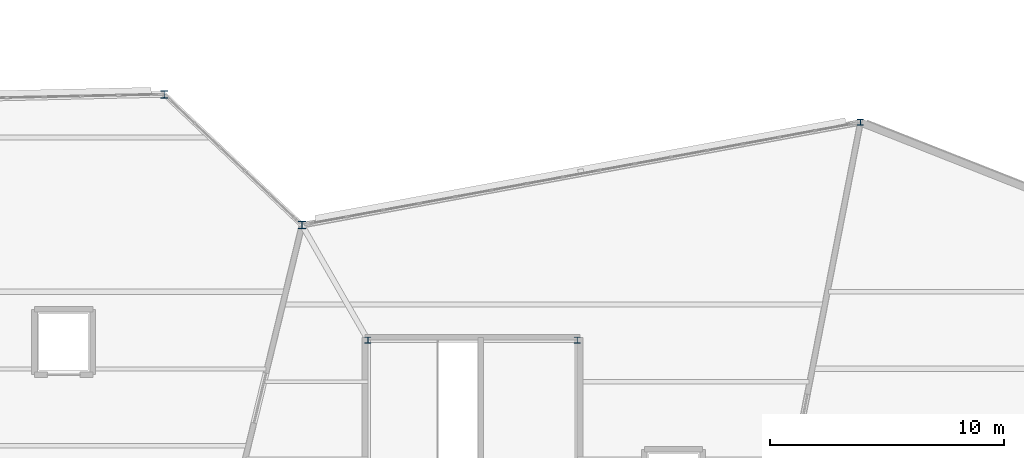
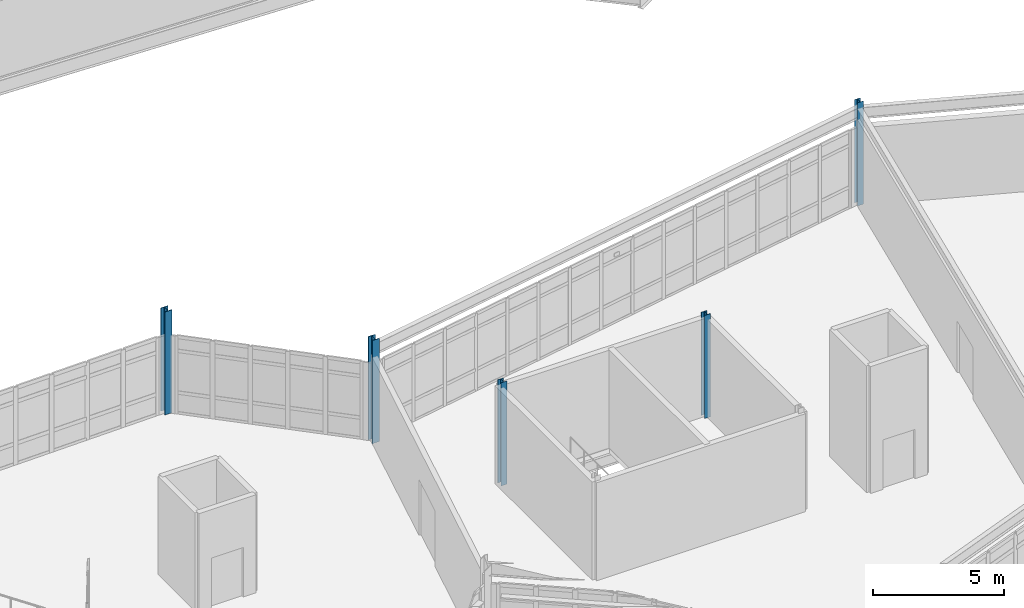
# One storey, part 5 of 76: 5 columns.
"""IFC4 building model written with IfcOpenShell, lengths in metres."""

from ifc_helpers import new_model, si_unit, direction, frame, origin, origin_2d, place, context, subcontext, project, spatial, i_section, extrude, material, material_profile, profile_set, type_object, element, save


model = new_model("IFC4")

# Units and contexts
model_context = context("Model", 3, precision=1e-05, world=origin(), true_north=direction((0.0, 1.0)))
body_context = subcontext(model_context, "Body", "Model", "MODEL_VIEW")
ifc_project = project(units=[si_unit("LENGTHUNIT", "METRE"), si_unit("AREAUNIT", "SQUARE_METRE"), si_unit("VOLUMEUNIT", "CUBIC_METRE"), si_unit("PLANEANGLEUNIT", "RADIAN"), si_unit("MASSUNIT", "GRAM", prefix="KILO")], contexts=[model_context])

# Site, building, storey
site_placement = place(None, origin())
site = spatial("IfcSite", under=ifc_project, at=site_placement, CompositionType="ELEMENT")
building_placement = place(site_placement, origin())
building = spatial("IfcBuilding", under=site, at=building_placement, Name="Tameran Prism Museum", CompositionType="ELEMENT")
storey_placement = place(building_placement, frame((0.0, 0.0, 15.0)))
storey = spatial("IfcBuildingStorey", under=building, at=storey_placement, Name="L03", CompositionType="ELEMENT", Elevation=15.0)

# Columns
ifc_material_1 = material(Name="Steel Grade 300PLUS (300 MPa)", Category="steel")
ifc_material_profile_1 = material_profile(ifc_material_1, i_section(OverallWidth=0.25390625, OverallDepth=0.25390625, WebThickness=0.008544921875, FlangeThickness=0.01416015625, FilletRadius=0.0126953125, at=origin_2d()))
ifc_profile_set_1 = profile_set([ifc_material_profile_1])
column_type_1 = type_object("IfcColumnType", Name="COL-UC250B", PredefinedType="COLUMN", material=ifc_profile_set_1)
for number, where, z_axis, x_axis, name in (
    (1, (125.60009765625, 47.39990234375, 0.0), (0.0, 0.0, 1.0), (1.0, 0.0, 0.0), "Column CV-50 L03"),
    (2, (113.47998046875, 38.080078125, 0.0), (0.0, 0.0, 1.0), (1.0, 0.0, 0.0), "Column CC-4-3 L03"),
    (3, (104.52001953125, 38.080078125, 0.0), (0.0, 0.0, 1.0), (1.0, 0.0, 0.0), "Column CC-4-4 L03"),
):
    element("IfcColumn", number, at=place(storey_placement, frame(where, z_axis=z_axis, x_axis=x_axis)), inside=storey, type_object=column_type_1, Name=name, PredefinedType="COLUMN", context=body_context, shape_type="SweptSolid", body=[
        extrude(i_section(OverallWidth=0.25390625, OverallDepth=0.25390625, WebThickness=0.008544921875, FlangeThickness=0.01416015625, FilletRadius=0.0126953125, at=origin_2d()), origin(), (0.0, 0.0, 1.0), 4.800048828125),
    ])
ifc_material_2 = material(Name="Steel Grade 350 (350 MPa)", Category="steel")
ifc_material_profile_2 = material_profile(ifc_material_2, i_section(OverallWidth=0.30908203125, OverallDepth=0.321044921875, WebThickness=0.013916015625, FlangeThickness=0.021728515625, FilletRadius=0.0166015625, at=origin_2d()))
ifc_profile_set_2 = profile_set([ifc_material_profile_2])
column_type_2 = type_object("IfcColumnType", Name="COL-UC310B", PredefinedType="COLUMN", material=ifc_profile_set_2)
for number, where, z_axis, x_axis, name in (
    (4, (95.800048828125, 48.60009765625, 0.0), (0.0, 0.0, 1.0), (1.0, 0.0, 0.0), "Column CV-38 L03"),
    (5, (101.699951171875, 43.0, 0.0), (0.0, 0.0, 1.0), (1.0, 0.0, 0.0), "Column CV-41 L03"),
):
    element("IfcColumn", number, at=place(storey_placement, frame(where, z_axis=z_axis, x_axis=x_axis)), inside=storey, type_object=column_type_2, Name=name, PredefinedType="COLUMN", context=body_context, shape_type="SweptSolid", body=[
        extrude(i_section(OverallWidth=0.30908203125, OverallDepth=0.321044921875, WebThickness=0.013916015625, FlangeThickness=0.021728515625, FilletRadius=0.0166015625, at=origin_2d()), origin(), (0.0, 0.0, 1.0), 4.800048828125),
    ])

save(model, "model.ifc")
